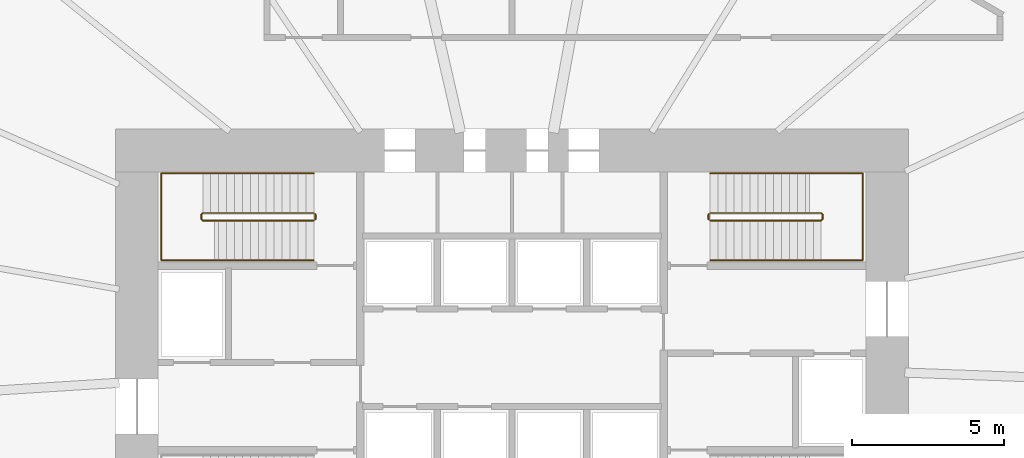
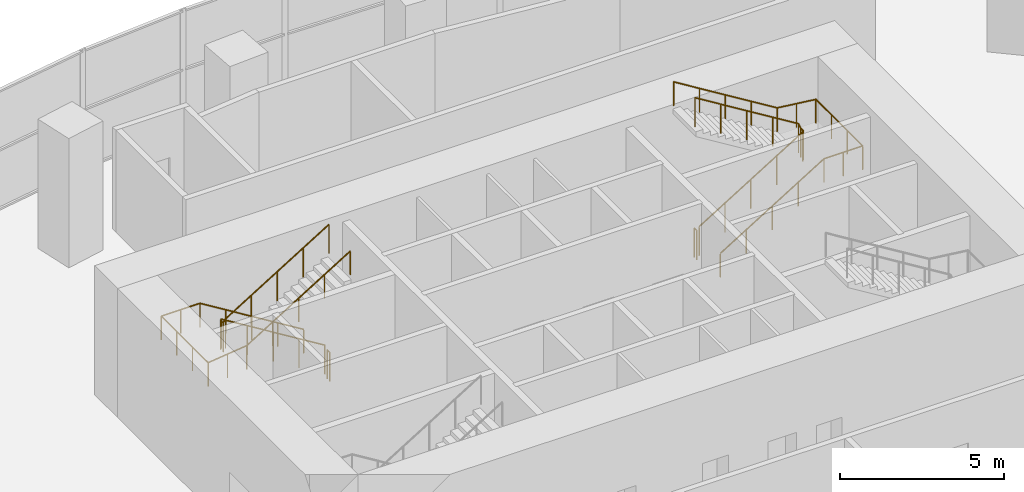
# One storey, part 17 of 17: 6 railings.
"""IFC4 building model written with IfcOpenShell, lengths in metres."""

from ifc_helpers import new_model, si_unit, direction, frame, origin, origin_2d, place, context, subcontext, project, spatial, circle, extrude, material, type_object, element, save


model = new_model("IFC4")

# Units and contexts
model_context = context("Model", 3, precision=1e-05, world=origin(), true_north=direction((0.0, 1.0)))
body_context = subcontext(model_context, "Body", "Model", "MODEL_VIEW")
ifc_project = project(units=[si_unit("LENGTHUNIT", "METRE"), si_unit("AREAUNIT", "SQUARE_METRE"), si_unit("VOLUMEUNIT", "CUBIC_METRE"), si_unit("PLANEANGLEUNIT", "RADIAN"), si_unit("MASSUNIT", "GRAM", prefix="KILO")], contexts=[model_context])

# Site, building, storey
site_placement = place(None, origin())
site = spatial("IfcSite", under=ifc_project, at=site_placement, CompositionType="ELEMENT")
building_placement = place(site_placement, origin())
building = spatial("IfcBuilding", under=site, at=building_placement, Name="Rubra Terraces Tower", CompositionType="ELEMENT")
storey_placement = place(building_placement, frame((0.0, 0.0, 28.199951171875)))
storey = spatial("IfcBuildingStorey", under=building, at=storey_placement, Name="L04", CompositionType="ELEMENT", Elevation=28.199951171875)

# Railings
ifc_material = material(Name="Stainless steel", Category="steel")
railing_type_1 = type_object("IfcRailingType", Name="Core stair guard 1100", PredefinedType="GUARDRAIL", material=ifc_material)
railing_1_placement = place(storey_placement, frame((-6.5, 9.25, 0.16015625)))
element("IfcRailing", 1, at=railing_1_placement, inside=storey, type_object=railing_type_1, Name="L04 stair S2 guard 1", PredefinedType="GUARDRAIL", context=body_context, shape_type="SweptSolid", body=[
    extrude(circle(Radius=0.02392578125, at=origin_2d()), frame((0.0, 0.0, 1.076171875), z_axis=(-0.851652432698, 0.0, 0.524106987055), x_axis=(0.0, -1.0, 0.0)), (0.0, 0.0, 1.0), 4.27392578125),
    extrude(circle(Radius=0.02392578125, at=origin_2d()), frame((-3.639892578125, 0.0, 3.31591796875), z_axis=(-0.707106781187, -0.707106781187, 0.0), x_axis=(0.707106781187, -0.707106781187, 0.0)), (0.0, 0.0, 1.0), 0.07080078125),
    extrude(circle(Radius=0.02392578125, at=origin_2d()), frame((-3.68994140625, -0.050048828125, 3.31591796875), z_axis=(0.0, -1.0, 0.0), x_axis=(1.0, 0.0, 0.0)), (0.0, 0.0, 1.0), 0.14990234375),
    extrude(circle(Radius=0.02392578125, at=origin_2d()), frame((-3.68994140625, -0.199951171875, 3.31591796875), z_axis=(0.286195917343, -0.286195917343, 0.914430857852), x_axis=(0.707106781187, 0.707106781187, 0.0)), (0.0, 0.0, 1.0), 0.1748046875),
    extrude(circle(Radius=0.02392578125, at=origin_2d()), frame((-3.639892578125, -0.25, 3.47607421875), z_axis=(0.851652432698, 0.0, 0.524106987055), x_axis=(0.0, 1.0, 0.0)), (0.0, 0.0, 1.0), 4.27392578125),
    extrude(circle(Radius=0.02099609375, at=origin_2d()), origin(), (0.0, 0.0, 1.0), 1.052001953125),
    extrude(circle(Radius=0.02099609375, at=origin_2d()), frame((-0.909912109375, 0.0, 0.56005859375)), (0.0, 0.0, 1.0), 1.052001953125),
    extrude(circle(Radius=0.02099609375, at=origin_2d()), frame((-1.81982421875, 0.0, 1.1201171875)), (0.0, 0.0, 1.0), 1.052001953125),
    extrude(circle(Radius=0.02099609375, at=origin_2d()), frame((-2.72998046875, 0.0, 1.679931640625)), (0.0, 0.0, 1.0), 1.052001953125),
    extrude(circle(Radius=0.02099609375, at=origin_2d()), frame((-3.639892578125, 0.0, 2.239990234375)), (0.0, 0.0, 1.0), 1.052001953125),
    extrude(circle(Radius=0.02099609375, at=origin_2d()), frame((-3.68994140625, -0.050048828125, 2.239990234375)), (0.0, 0.0, 1.0), 1.052001953125),
    extrude(circle(Radius=0.02099609375, at=origin_2d()), frame((-3.68994140625, -0.199951171875, 2.239990234375)), (0.0, 0.0, 1.0), 1.052001953125),
    extrude(circle(Radius=0.02099609375, at=origin_2d()), frame((-3.639892578125, -0.25, 2.39990234375)), (0.0, 0.0, 1.0), 1.052001953125),
    extrude(circle(Radius=0.02099609375, at=origin_2d()), frame((-2.72998046875, -0.25, 2.9599609375)), (0.0, 0.0, 1.0), 1.052001953125),
    extrude(circle(Radius=0.02099609375, at=origin_2d()), frame((-1.81982421875, -0.25, 3.52001953125)), (0.0, 0.0, 1.0), 1.052001953125),
    extrude(circle(Radius=0.02099609375, at=origin_2d()), frame((-0.909912109375, -0.25, 4.079833984375)), (0.0, 0.0, 1.0), 1.052001953125),
    extrude(circle(Radius=0.02099609375, at=origin_2d()), frame((0.0, -0.25, 4.639892578125)), (0.0, 0.0, 1.0), 1.052001953125),
])
railing_2_placement = place(storey_placement, frame((-6.449951171875, 9.199951171875, 0.0)))
element("IfcRailing", 2, at=railing_2_placement, inside=storey, type_object=railing_type_1, Name="L04 stair S2 guard 2", PredefinedType="GUARDRAIL", context=body_context, shape_type="SweptSolid", body=[
    extrude(circle(Radius=0.02392578125, at=origin_2d()), frame((0.0, 0.0, 1.076171875), z_axis=(0.0, -1.0, 0.0), x_axis=(1.0, 0.0, 0.0)), (0.0, 0.0, 1.0), 0.14990234375),
    extrude(circle(Radius=0.02099609375, at=origin_2d()), origin(), (0.0, 0.0, 1.0), 1.052001953125),
    extrude(circle(Radius=0.02099609375, at=origin_2d()), frame((0.0, -0.14990234375, 0.0)), (0.0, 0.0, 1.0), 1.052001953125),
])
railing_3_placement = place(storey_placement, frame((6.5, 9.0, 0.16015625)))
element("IfcRailing", 3, at=railing_3_placement, inside=storey, type_object=railing_type_1, Name="L04 stair S3 guard 1", PredefinedType="GUARDRAIL", context=body_context, shape_type="SweptSolid", body=[
    extrude(circle(Radius=0.02392578125, at=origin_2d()), frame((0.0, 0.0, 1.076171875), z_axis=(0.851652432698, 0.0, 0.524106987055), x_axis=(0.0, 1.0, 0.0)), (0.0, 0.0, 1.0), 4.27392578125),
    extrude(circle(Radius=0.02392578125, at=origin_2d()), frame((3.639892578125, 0.0, 3.31591796875), z_axis=(0.707106781187, 0.707106781187, 0.0), x_axis=(-0.707106781187, 0.707106781187, 0.0)), (0.0, 0.0, 1.0), 0.07080078125),
    extrude(circle(Radius=0.02392578125, at=origin_2d()), frame((3.68994140625, 0.050048828125, 3.31591796875), z_axis=(0.0, 1.0, 0.0), x_axis=(-1.0, 0.0, 0.0)), (0.0, 0.0, 1.0), 0.14990234375),
    extrude(circle(Radius=0.02392578125, at=origin_2d()), frame((3.68994140625, 0.199951171875, 3.31591796875), z_axis=(-0.286195917343, 0.286195917343, 0.914430857852), x_axis=(-0.707106781187, -0.707106781187, 0.0)), (0.0, 0.0, 1.0), 0.1748046875),
    extrude(circle(Radius=0.02392578125, at=origin_2d()), frame((3.639892578125, 0.25, 3.47607421875), z_axis=(-0.851652432698, 0.0, 0.524106987055), x_axis=(0.0, -1.0, 0.0)), (0.0, 0.0, 1.0), 4.27392578125),
    extrude(circle(Radius=0.02099609375, at=origin_2d()), origin(), (0.0, 0.0, 1.0), 1.052001953125),
    extrude(circle(Radius=0.02099609375, at=origin_2d()), frame((0.909912109375, 0.0, 0.56005859375)), (0.0, 0.0, 1.0), 1.052001953125),
    extrude(circle(Radius=0.02099609375, at=origin_2d()), frame((1.81982421875, 0.0, 1.1201171875)), (0.0, 0.0, 1.0), 1.052001953125),
    extrude(circle(Radius=0.02099609375, at=origin_2d()), frame((2.72998046875, 0.0, 1.679931640625)), (0.0, 0.0, 1.0), 1.052001953125),
    extrude(circle(Radius=0.02099609375, at=origin_2d()), frame((3.639892578125, 0.0, 2.239990234375)), (0.0, 0.0, 1.0), 1.052001953125),
    extrude(circle(Radius=0.02099609375, at=origin_2d()), frame((3.68994140625, 0.050048828125, 2.239990234375)), (0.0, 0.0, 1.0), 1.052001953125),
    extrude(circle(Radius=0.02099609375, at=origin_2d()), frame((3.68994140625, 0.199951171875, 2.239990234375)), (0.0, 0.0, 1.0), 1.052001953125),
    extrude(circle(Radius=0.02099609375, at=origin_2d()), frame((3.639892578125, 0.25, 2.39990234375)), (0.0, 0.0, 1.0), 1.052001953125),
    extrude(circle(Radius=0.02099609375, at=origin_2d()), frame((2.72998046875, 0.25, 2.9599609375)), (0.0, 0.0, 1.0), 1.052001953125),
    extrude(circle(Radius=0.02099609375, at=origin_2d()), frame((1.81982421875, 0.25, 3.52001953125)), (0.0, 0.0, 1.0), 1.052001953125),
    extrude(circle(Radius=0.02099609375, at=origin_2d()), frame((0.909912109375, 0.25, 4.079833984375)), (0.0, 0.0, 1.0), 1.052001953125),
    extrude(circle(Radius=0.02099609375, at=origin_2d()), frame((0.0, 0.25, 4.639892578125)), (0.0, 0.0, 1.0), 1.052001953125),
])
railing_4_placement = place(storey_placement, frame((6.449951171875, 9.050048828125, 0.0)))
element("IfcRailing", 4, at=railing_4_placement, inside=storey, type_object=railing_type_1, Name="L04 stair S3 guard 2", PredefinedType="GUARDRAIL", context=body_context, shape_type="SweptSolid", body=[
    extrude(circle(Radius=0.02392578125, at=origin_2d()), frame((0.0, 0.0, 1.076171875), z_axis=(0.0, 1.0, 0.0), x_axis=(-1.0, 0.0, 0.0)), (0.0, 0.0, 1.0), 0.14990234375),
    extrude(circle(Radius=0.02099609375, at=origin_2d()), origin(), (0.0, 0.0, 1.0), 1.052001953125),
    extrude(circle(Radius=0.02099609375, at=origin_2d()), frame((0.0, 0.14990234375, 0.0)), (0.0, 0.0, 1.0), 1.052001953125),
])
railing_type_2 = type_object("IfcRailingType", Name="Core stair handrail 900", PredefinedType="HANDRAIL", material=ifc_material)
railing_5_placement = place(storey_placement, frame((-6.5, 10.550048828125, 0.16015625)))
element("IfcRailing", 5, at=railing_5_placement, inside=storey, type_object=railing_type_2, Name="L04 stair S2 handrail 1", PredefinedType="HANDRAIL", context=body_context, shape_type="SweptSolid", body=[
    extrude(circle(Radius=0.02392578125, at=origin_2d()), frame((0.0, 0.0, 0.8759765625), z_axis=(-0.851652432698, 0.0, 0.524106987055), x_axis=(0.0, -1.0, 0.0)), (0.0, 0.0, 1.0), 4.27392578125),
    extrude(circle(Radius=0.02392578125, at=origin_2d()), frame((-3.639892578125, 0.0, 3.11572265625), z_axis=(-1.0, 0.0, 0.0), x_axis=(0.0, -1.0, 0.0)), (0.0, 0.0, 1.0), 1.360107421875),
    extrude(circle(Radius=0.02392578125, at=origin_2d()), frame((-5.0, 0.0, 3.11572265625), z_axis=(0.0, -1.0, 0.0), x_axis=(1.0, 0.0, 0.0)), (0.0, 0.0, 1.0), 2.85009765625),
    extrude(circle(Radius=0.02392578125, at=origin_2d()), frame((-5.0, -2.85009765625, 3.11572265625), z_axis=(0.993159119849, 0.0, 0.116768842847), x_axis=(0.0, 1.0, 0.0)), (0.0, 0.0, 1.0), 1.369384765625),
    extrude(circle(Radius=0.02392578125, at=origin_2d()), frame((-3.639892578125, -2.85009765625, 3.27587890625), z_axis=(0.851652432698, 0.0, 0.524106987055), x_axis=(0.0, 1.0, 0.0)), (0.0, 0.0, 1.0), 4.27392578125),
    extrude(circle(Radius=0.02099609375, at=origin_2d()), origin(), (0.0, 0.0, 1.0), 0.851806640625),
    extrude(circle(Radius=0.02099609375, at=origin_2d()), frame((-0.909912109375, 0.0, 0.56005859375)), (0.0, 0.0, 1.0), 0.851806640625),
    extrude(circle(Radius=0.02099609375, at=origin_2d()), frame((-1.81982421875, 0.0, 1.1201171875)), (0.0, 0.0, 1.0), 0.851806640625),
    extrude(circle(Radius=0.02099609375, at=origin_2d()), frame((-2.72998046875, 0.0, 1.679931640625)), (0.0, 0.0, 1.0), 0.851806640625),
    extrude(circle(Radius=0.02099609375, at=origin_2d()), frame((-3.639892578125, 0.0, 2.239990234375)), (0.0, 0.0, 1.0), 0.851806640625),
    extrude(circle(Radius=0.02099609375, at=origin_2d()), frame((-4.31982421875, 0.0, 2.239990234375)), (0.0, 0.0, 1.0), 0.851806640625),
    extrude(circle(Radius=0.02099609375, at=origin_2d()), frame((-5.0, 0.0, 2.239990234375)), (0.0, 0.0, 1.0), 0.851806640625),
    extrude(circle(Radius=0.02099609375, at=origin_2d()), frame((-5.0, -0.949951171875, 2.239990234375)), (0.0, 0.0, 1.0), 0.851806640625),
    extrude(circle(Radius=0.02099609375, at=origin_2d()), frame((-5.0, -1.900146484375, 2.239990234375)), (0.0, 0.0, 1.0), 0.851806640625),
    extrude(circle(Radius=0.02099609375, at=origin_2d()), frame((-5.0, -2.85009765625, 2.239990234375)), (0.0, 0.0, 1.0), 0.851806640625),
    extrude(circle(Radius=0.02099609375, at=origin_2d()), frame((-4.31982421875, -2.85009765625, 2.31982421875)), (0.0, 0.0, 1.0), 0.851806640625),
    extrude(circle(Radius=0.02099609375, at=origin_2d()), frame((-3.639892578125, -2.85009765625, 2.39990234375)), (0.0, 0.0, 1.0), 0.851806640625),
    extrude(circle(Radius=0.02099609375, at=origin_2d()), frame((-2.72998046875, -2.85009765625, 2.9599609375)), (0.0, 0.0, 1.0), 0.851806640625),
    extrude(circle(Radius=0.02099609375, at=origin_2d()), frame((-1.81982421875, -2.85009765625, 3.52001953125)), (0.0, 0.0, 1.0), 0.851806640625),
    extrude(circle(Radius=0.02099609375, at=origin_2d()), frame((-0.909912109375, -2.85009765625, 4.079833984375)), (0.0, 0.0, 1.0), 0.851806640625),
    extrude(circle(Radius=0.02099609375, at=origin_2d()), frame((0.0, -2.85009765625, 4.639892578125)), (0.0, 0.0, 1.0), 0.851806640625),
])
railing_6_placement = place(storey_placement, frame((6.5, 7.699951171875, 0.16015625)))
element("IfcRailing", 6, at=railing_6_placement, inside=storey, type_object=railing_type_2, Name="L04 stair S3 handrail 1", PredefinedType="HANDRAIL", context=body_context, shape_type="SweptSolid", body=[
    extrude(circle(Radius=0.02392578125, at=origin_2d()), frame((0.0, 0.0, 0.8759765625), z_axis=(0.851652432698, 0.0, 0.524106987055), x_axis=(0.0, 1.0, 0.0)), (0.0, 0.0, 1.0), 4.27392578125),
    extrude(circle(Radius=0.02392578125, at=origin_2d()), frame((3.639892578125, 0.0, 3.11572265625), z_axis=(1.0, 0.0, 0.0), x_axis=(0.0, 1.0, 0.0)), (0.0, 0.0, 1.0), 1.360107421875),
    extrude(circle(Radius=0.02392578125, at=origin_2d()), frame((5.0, 0.0, 3.11572265625), z_axis=(0.0, 1.0, 0.0), x_axis=(-1.0, 0.0, 0.0)), (0.0, 0.0, 1.0), 2.85009765625),
    extrude(circle(Radius=0.02392578125, at=origin_2d()), frame((5.0, 2.85009765625, 3.11572265625), z_axis=(-0.993159119849, 0.0, 0.116768842847), x_axis=(0.0, -1.0, 0.0)), (0.0, 0.0, 1.0), 1.369384765625),
    extrude(circle(Radius=0.02392578125, at=origin_2d()), frame((3.639892578125, 2.85009765625, 3.27587890625), z_axis=(-0.851652432698, 0.0, 0.524106987055), x_axis=(0.0, -1.0, 0.0)), (0.0, 0.0, 1.0), 4.27392578125),
    extrude(circle(Radius=0.02099609375, at=origin_2d()), origin(), (0.0, 0.0, 1.0), 0.851806640625),
    extrude(circle(Radius=0.02099609375, at=origin_2d()), frame((0.909912109375, 0.0, 0.56005859375)), (0.0, 0.0, 1.0), 0.851806640625),
    extrude(circle(Radius=0.02099609375, at=origin_2d()), frame((1.81982421875, 0.0, 1.1201171875)), (0.0, 0.0, 1.0), 0.851806640625),
    extrude(circle(Radius=0.02099609375, at=origin_2d()), frame((2.72998046875, 0.0, 1.679931640625)), (0.0, 0.0, 1.0), 0.851806640625),
    extrude(circle(Radius=0.02099609375, at=origin_2d()), frame((3.639892578125, 0.0, 2.239990234375)), (0.0, 0.0, 1.0), 0.851806640625),
    extrude(circle(Radius=0.02099609375, at=origin_2d()), frame((4.31982421875, 0.0, 2.239990234375)), (0.0, 0.0, 1.0), 0.851806640625),
    extrude(circle(Radius=0.02099609375, at=origin_2d()), frame((5.0, 0.0, 2.239990234375)), (0.0, 0.0, 1.0), 0.851806640625),
    extrude(circle(Radius=0.02099609375, at=origin_2d()), frame((5.0, 0.949951171875, 2.239990234375)), (0.0, 0.0, 1.0), 0.851806640625),
    extrude(circle(Radius=0.02099609375, at=origin_2d()), frame((5.0, 1.900146484375, 2.239990234375)), (0.0, 0.0, 1.0), 0.851806640625),
    extrude(circle(Radius=0.02099609375, at=origin_2d()), frame((5.0, 2.85009765625, 2.239990234375)), (0.0, 0.0, 1.0), 0.851806640625),
    extrude(circle(Radius=0.02099609375, at=origin_2d()), frame((4.31982421875, 2.85009765625, 2.31982421875)), (0.0, 0.0, 1.0), 0.851806640625),
    extrude(circle(Radius=0.02099609375, at=origin_2d()), frame((3.639892578125, 2.85009765625, 2.39990234375)), (0.0, 0.0, 1.0), 0.851806640625),
    extrude(circle(Radius=0.02099609375, at=origin_2d()), frame((2.72998046875, 2.85009765625, 2.9599609375)), (0.0, 0.0, 1.0), 0.851806640625),
    extrude(circle(Radius=0.02099609375, at=origin_2d()), frame((1.81982421875, 2.85009765625, 3.52001953125)), (0.0, 0.0, 1.0), 0.851806640625),
    extrude(circle(Radius=0.02099609375, at=origin_2d()), frame((0.909912109375, 2.85009765625, 4.079833984375)), (0.0, 0.0, 1.0), 0.851806640625),
    extrude(circle(Radius=0.02099609375, at=origin_2d()), frame((0.0, 2.85009765625, 4.639892578125)), (0.0, 0.0, 1.0), 0.851806640625),
])

save(model, "model.ifc")
